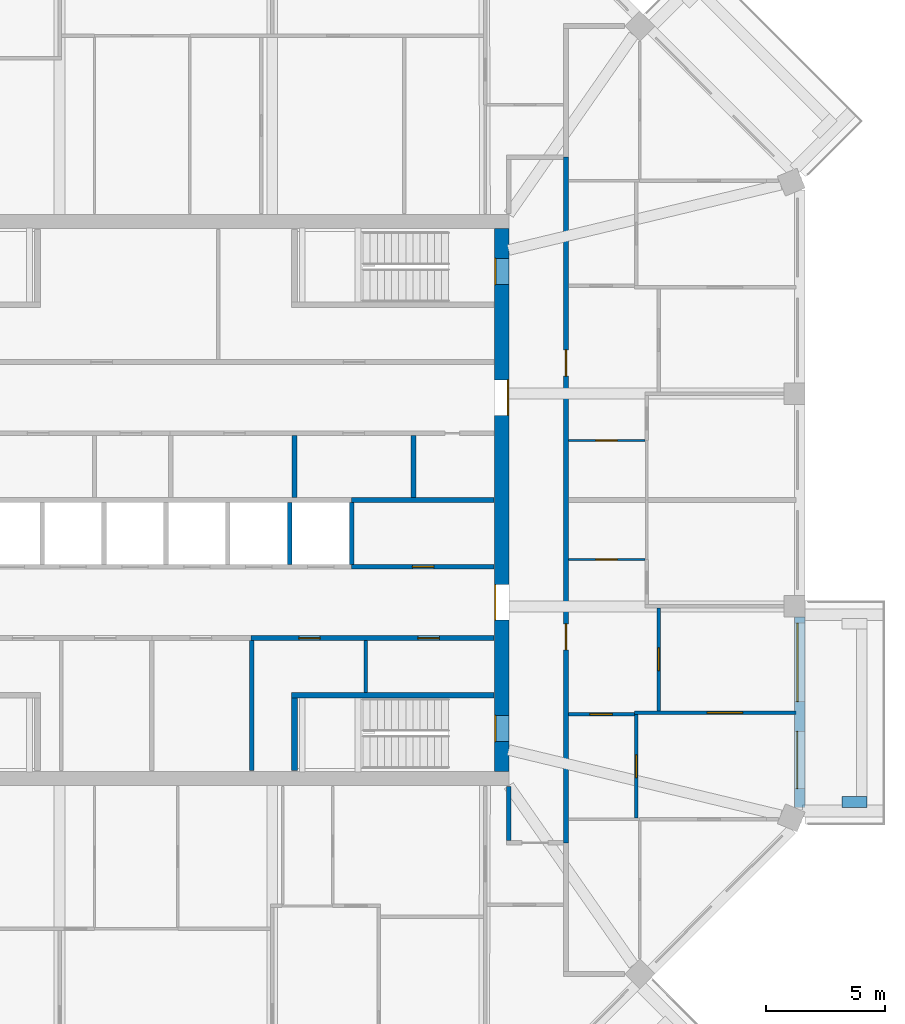
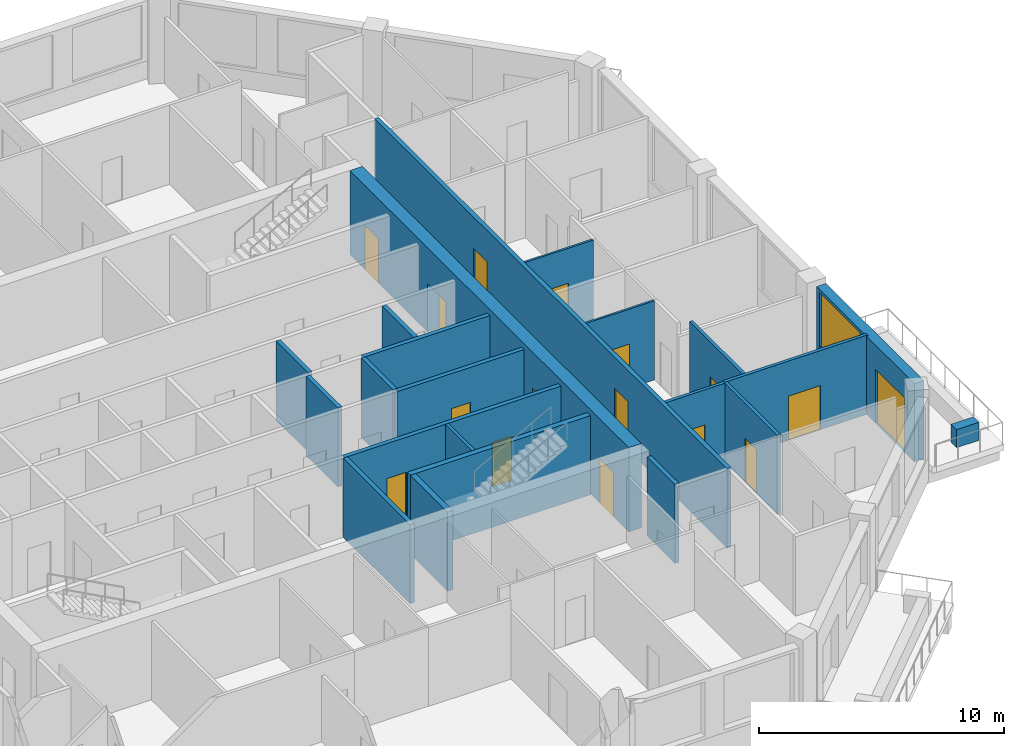
# One storey, part 6 of 11: 22 walls, 16 doors, 1 window, 17 openings.
"""IFC4 building model written with IfcOpenShell, lengths in metres."""

import ifcopenshell
import ifcopenshell.guid

model = None  # the IFC model being written
_history = None  # IfcOwnerHistory: only IFC2X3 demands one
_inside = {}  # id of a spatial element -> (the spatial element, [elements in it])
_under = {}  # id of a project, library or spatial element -> (it, [spatial elements below it])
_declared = {}  # id of a project -> (the project, [libraries it declares])
_typed = {}  # id of a type object -> (the type object, [elements of that type])
_made_of = {}  # id of a material, layer set ... -> (it, [elements and type objects made of it])


def new_model(schema):
    """Start an empty IFC model of exactly this schema.

    Asked for "IFC4X3", IfcOpenShell would pick the latest addendum, in which some entities
    have other attributes; the version numbers below select the first issue.
    IFC2X3 requires an IfcOwnerHistory on every rooted entity: one is made here for all.
    """
    global model, _history
    if schema == "IFC4X3":
        model = ifcopenshell.file(schema_version=(4, 3, 0, 0))
    else:
        model = ifcopenshell.file(schema=schema)
    _inside.clear()
    _under.clear()
    _declared.clear()
    _typed.clear()
    _made_of.clear()
    _history = None
    if model.schema == "IFC2X3":
        org = make("IfcOrganization", Name="unknown")
        user = make(
            "IfcPersonAndOrganization",
            ThePerson=make("IfcPerson", FamilyName="unknown"),
            TheOrganization=org,
        )
        app = make(
            "IfcApplication",
            ApplicationDeveloper=org,
            Version="unknown",
            ApplicationFullName="unknown",
            ApplicationIdentifier="unknown",
        )
        _history = make(
            "IfcOwnerHistory",
            OwningUser=user,
            OwningApplication=app,
            ChangeAction="ADDED",
            CreationDate=0,
        )
    return model


def make(cls, **values):
    """One entity of the class cls with the attributes given. An attribute that is None is left unset."""
    return model.create_entity(
        cls, **{name: value for name, value in values.items() if value is not None}
    )


def rooted(cls, **values):
    """An entity with a GlobalId (a new one), such as an element, a storey or a relation."""
    return make(cls, GlobalId=ifcopenshell.guid.new(), OwnerHistory=_history, **values)


def si_unit(unit_type, name, prefix=None):
    """IfcSIUnit, for example si_unit("LENGTHUNIT", "METRE", prefix="MILLI")."""
    return make("IfcSIUnit", UnitType=unit_type, Prefix=prefix, Name=name)


def assignment(units):
    """IfcUnitAssignment: the units of a project."""
    return None if units is None else make("IfcUnitAssignment", Units=units)


def point(xyz):
    """IfcCartesianPoint."""
    return None if xyz is None else make("IfcCartesianPoint", Coordinates=xyz)


def direction(xyz):
    """IfcDirection."""
    return None if xyz is None else make("IfcDirection", DirectionRatios=xyz)


def frame(location, z_axis=None, x_axis=None):
    """IfcAxis2Placement3D, a coordinate frame: its origin and axes. An axis left out is left unset."""
    return make(
        "IfcAxis2Placement3D",
        Location=point(location),
        Axis=direction(z_axis),
        RefDirection=direction(x_axis),
    )


def frame_2d(location, x_axis=None):
    """IfcAxis2Placement2D, a coordinate frame in the plane: its origin and x axis."""
    return make(
        "IfcAxis2Placement2D", Location=point(location), RefDirection=direction(x_axis)
    )


def origin():
    """The frame at (0, 0, 0) with its axes left unset."""
    return frame((0.0, 0.0, 0.0))


def place(relative_to, where):
    """IfcLocalPlacement: puts the frame where relative to a parent placement (None: the world)."""
    return make(
        "IfcLocalPlacement", PlacementRelTo=relative_to, RelativePlacement=where
    )


def context(
    kind, dimensions, precision=None, world=None, true_north=None, identifier=None
):
    """IfcGeometricRepresentationContext, for example the 3D "Model" context."""
    return make(
        "IfcGeometricRepresentationContext",
        ContextIdentifier=identifier,
        ContextType=kind,
        CoordinateSpaceDimension=dimensions,
        Precision=precision,
        WorldCoordinateSystem=world,
        TrueNorth=true_north,
    )


def subcontext(parent, identifier, kind, view, scale=None):
    """IfcGeometricRepresentationSubContext, for example "Body" below "Model"."""
    return make(
        "IfcGeometricRepresentationSubContext",
        ContextIdentifier=identifier,
        ContextType=kind,
        ParentContext=parent,
        TargetScale=scale,
        TargetView=view,
    )


def project(units=None, contexts=None):
    """IfcProject with its units and contexts."""
    return rooted(
        "IfcProject",
        Name="project",
        RepresentationContexts=contexts,
        UnitsInContext=assignment(units),
    )


def spatial(cls, under=None, at=None, **own):
    """A site, building, storey or space (cls), placed at a placement, below another one or the project."""
    s = rooted(cls, ObjectPlacement=at, **own)
    if under is not None:
        _under.setdefault(under.id(), (under, []))[1].append(s)
    return s


def profile(cls, at=None, kind="AREA", **sizes):
    """A parametric profile (cls). Its sizes go by their IFC names, for example OverallWidth=200.0."""
    return make(cls, ProfileType=kind, Position=at, **sizes)


def rectangle(**sizes):
    """IfcRectangleProfileDef."""
    return profile("IfcRectangleProfileDef", **sizes)


def extrude(swept, where, along, depth):
    """IfcExtrudedAreaSolid: the profile swept, set in the frame where, extruded along a direction by depth."""
    return make(
        "IfcExtrudedAreaSolid",
        SweptArea=swept,
        Position=where,
        ExtrudedDirection=direction(along),
        Depth=depth,
    )


def shape(context_of_items, identifier, shape_type, items):
    """IfcShapeRepresentation: the items that make up one representation, for example the "Body"."""
    return make(
        "IfcShapeRepresentation",
        ContextOfItems=context_of_items,
        RepresentationIdentifier=identifier,
        RepresentationType=shape_type,
        Items=items,
    )


def material(Name=None, Category=None):
    """IfcMaterial."""
    return make("IfcMaterial", Name=Name, Category=Category)


def layer(
    of_material, thickness, ventilated=None, Name=None, Category=None, Priority=None
):
    """IfcMaterialLayer: one layer of a wall or slab, of a material (None: an air gap)."""
    return make(
        "IfcMaterialLayer",
        Material=of_material,
        LayerThickness=thickness,
        IsVentilated=ventilated,
        Name=Name,
        Category=Category,
        Priority=Priority,
    )


def layer_set(layers, Name=None):
    """IfcMaterialLayerSet."""
    return make("IfcMaterialLayerSet", MaterialLayers=layers, LayerSetName=Name)


def made_of(thing, what):
    """Note that an element or type object is made of a material, layer set ...; save() writes the relation."""
    if what is not None:
        _made_of.setdefault(what.id(), (what, []))[1].append(thing)
    return thing


def type_object(cls, material=None, **own):
    """A type object (cls), such as IfcWallType, which elements share."""
    return made_of(rooted(cls, **own), material)


def element(
    cls,
    number,
    at=None,
    inside=None,
    cuts=None,
    type_object=None,
    material=None,
    context=None,
    identifier="Body",
    shape_type=None,
    held_by="IfcProductDefinitionShape",
    body=None,
    shapes=None,
    **own,
):
    """One element of the class cls, such as IfcWall. Its Tag is "e" and its number.

    at: its placement. inside: the storey or other place that contains it. cuts: it is an
    opening in that element (IfcRelVoidsElement). A single representation is given by context,
    identifier, shape_type and body (its items); several are given by shapes. held_by: the class
    of the entity that holds the representations. save() writes the other relations.
    """
    e = rooted(cls, Tag="e%d" % number, ObjectPlacement=at, **own)
    if body is not None:
        shapes = [shape(context, identifier, shape_type, body)]
    if shapes is not None:
        e.Representation = make(held_by, Representations=shapes)
    if inside is not None:
        _inside.setdefault(inside.id(), (inside, []))[1].append(e)
    if cuts is not None:
        rooted(
            "IfcRelVoidsElement", RelatingBuildingElement=cuts, RelatedOpeningElement=e
        )
    if type_object is not None:
        _typed.setdefault(type_object.id(), (type_object, []))[1].append(e)
    return made_of(e, material)


def fill(opening, filler):
    """IfcRelFillsElement: the door or window that sits in an opening."""
    return rooted(
        "IfcRelFillsElement",
        RelatingOpeningElement=opening,
        RelatedBuildingElement=filler,
    )


def aggregate(whole, parts):
    """IfcRelAggregates: a whole, such as a stair, and the parts it consists of."""
    return rooted("IfcRelAggregates", RelatingObject=whole, RelatedObjects=parts)


def save(model, path):
    """Write the relations noted so far, then the file.

    IfcRelAggregates (storeys below a building ...), IfcRelContainedInSpatialStructure (elements
    in a storey), IfcRelDefinesByType, IfcRelAssociatesMaterial and IfcRelDeclares: one each for
    every whole, place, type object, material and project.
    """
    for whole, parts in _under.values():
        aggregate(whole, parts)
    for where, things in _inside.values():
        rooted(
            "IfcRelContainedInSpatialStructure",
            RelatedElements=things,
            RelatingStructure=where,
        )
    for kind, things in _typed.values():
        rooted("IfcRelDefinesByType", RelatedObjects=things, RelatingType=kind)
    for what, things in _made_of.values():
        rooted("IfcRelAssociatesMaterial", RelatedObjects=things, RelatingMaterial=what)
    for by, libraries in _declared.values():
        rooted("IfcRelDeclares", RelatingContext=by, RelatedDefinitions=libraries)
    model.write(path)


model = new_model("IFC4")

# Units and contexts
model_context = context("Model", 3, precision=1e-05, world=origin(), true_north=direction((0.0, 1.0)))
body_context = subcontext(model_context, "Body", "Model", "MODEL_VIEW")
ifc_project = project(units=[si_unit("LENGTHUNIT", "METRE"), si_unit("AREAUNIT", "SQUARE_METRE"), si_unit("VOLUMEUNIT", "CUBIC_METRE"), si_unit("PLANEANGLEUNIT", "RADIAN"), si_unit("MASSUNIT", "GRAM", prefix="KILO")], contexts=[model_context])

# Site, building, storey
site_placement = place(None, origin())
site = spatial("IfcSite", under=ifc_project, at=site_placement, CompositionType="ELEMENT")
building_placement = place(site_placement, origin())
building = spatial("IfcBuilding", under=site, at=building_placement, Name="Msitu Wima Residences", CompositionType="ELEMENT")
storey_placement = place(building_placement, frame((0.0, 0.0, 268.5)))
storey = spatial("IfcBuildingStorey", under=building, at=storey_placement, Name="L62", CompositionType="ELEMENT", Elevation=268.5)

# Wall
ifc_material_1 = material(Name="Facing brick")
ifc_layer_1 = layer(ifc_material_1, 0.06494140625, Name="Facing brick")
ifc_material_2 = material(Name="Concrete C40/50", Category="concrete")
ifc_layer_2 = layer(ifc_material_2, 0.156005859375, Name="Concrete C40/50")
ifc_material_3 = material(Name="Waterproofing membrane")
ifc_layer_3 = layer(ifc_material_3, 0.00390625, Name="Waterproofing membrane")
ifc_material_4 = material(Name="Planting soil and planting")
ifc_layer_4 = layer(ifc_material_4, 0.22509765625, Name="Planting soil and planting")
ifc_layer_set_1 = layer_set([ifc_layer_1, ifc_layer_2, ifc_layer_3, ifc_layer_4], Name="Concrete C40/50")
wall_type_1 = type_object("IfcWallType", Name="Balcony planter PLANTER PL450", PredefinedType="USERDEFINED", material=ifc_layer_set_1)
wall_1_placement = place(storey_placement, frame((28.39990234375, -12.680908203125, 0.0), z_axis=(0.0, 0.0, 1.0), x_axis=(1.0, 0.0, 0.0)))
element("IfcWall", 1, at=wall_1_placement, inside=storey, type_object=wall_type_1, Name="Balcony planter E0 L62", ObjectType="PLANTER", PredefinedType="USERDEFINED", context=body_context, shape_type="SweptSolid", body=[
    extrude(rectangle(XDim=1.050048828125, YDim=0.449951171875, at=frame_2d((0.52490234375, 0.0))), origin(), (0.0, 0.0, 1.0), 0.89990234375),
])

# Wall, openings, door, window
ifc_material_5 = material(Name="Brick (red buff mix)", Category="masonry")
ifc_layer_5 = layer(ifc_material_5, 0.449951171875)
ifc_layer_set_2 = layer_set([ifc_layer_5], Name="Brick (red buff mix)")
wall_type_2 = type_object("IfcWallType", Name="Brick infill wall BW450", PredefinedType="SOLIDWALL", material=ifc_layer_set_2)
wall_2_placement = place(storey_placement, frame((26.625, -12.918701171875, 0.0), z_axis=(0.0, 0.0, 1.0), x_axis=(0.0, 1.0, 0.0)))
wall_2 = element("IfcWall", 2, at=wall_2_placement, inside=storey, type_object=wall_type_2, Name="Brick infill wall L62 E0", PredefinedType="SOLIDWALL", context=body_context, shape_type="SweptSolid", body=[
    extrude(rectangle(XDim=8.0, YDim=0.449951171875, at=frame_2d((4.0, 0.0))), origin(), (0.0, 0.0, 1.0), 3.89990234375),
])
opening_1_placement = place(wall_2_placement, frame((0.800048828125, 0.0, 0.0)))
opening_1 = element("IfcOpeningElement", 3, at=opening_1_placement, cuts=wall_2, Name="Opening D60-62.001", PredefinedType="OPENING", context=body_context, shape_type="SweptSolid", body=[
    extrude(rectangle(XDim=2.39990234375, YDim=2.699951171875, at=frame_2d((1.199951171875, 1.35009765625))), frame((0.0, 0.23486328125, 0.0), z_axis=(0.0, -1.0, 0.0), x_axis=(1.0, 0.0, 0.0)), (0.0, 0.0, 1.0), 0.469970703125),
])
opening_2_placement = place(wall_2_placement, frame((4.4501953125, 0.0, 1.050048828125)))
opening_2 = element("IfcOpeningElement", 4, at=opening_2_placement, cuts=wall_2, Name="Opening W60-62.001", PredefinedType="OPENING", context=body_context, shape_type="SweptSolid", body=[
    extrude(rectangle(XDim=3.300048828125, YDim=2.699951171875, at=frame_2d((1.64990234375, 1.35009765625))), frame((0.0, 0.23486328125, 0.0), z_axis=(0.0, -1.0, 0.0), x_axis=(1.0, 0.0, 0.0)), (0.0, 0.0, 1.0), 0.469970703125),
])
ifc_material_6 = material(Name="Anodised aluminium, bronze finish, clear low-emissivity double glazing", Category="aluminium")
door_type_1 = type_object("IfcDoorType", Name="Balcony door D2400x2700", OperationType="SLIDING_TO_LEFT", PredefinedType="DOOR", material=ifc_material_6)
door_1_placement = place(opening_1_placement, origin())
door_1 = element("IfcDoor", 5, at=door_1_placement, inside=storey, type_object=door_type_1, Name="Balcony door L62 E0", OperationType="SINGLE_SWING_LEFT", OverallHeight=2.699951171875, OverallWidth=2.39990234375, PredefinedType="DOOR", context=body_context, shape_type="SweptSolid", body=[
    extrude(rectangle(XDim=2.39990234375, YDim=2.699951171875, at=frame_2d((1.199951171875, 1.35009765625))), frame((0.0, 0.1298828125, 0.0), z_axis=(0.0, -1.0, 0.0), x_axis=(1.0, 0.0, 0.0)), (0.0, 0.0, 1.0), 0.050048828125),
])
fill(opening_1, door_1)
window_type = type_object("IfcWindowType", Name="Window W3300x2700", PartitioningType="DOUBLE_PANEL_VERTICAL", PredefinedType="WINDOW", material=ifc_material_6)
window_placement = place(opening_2_placement, origin())
window = element("IfcWindow", 6, at=window_placement, inside=storey, type_object=window_type, Name="Window L62 E0.2", OverallHeight=2.699951171875, OverallWidth=3.300048828125, PartitioningType="SINGLE_PANEL", PredefinedType="WINDOW", context=body_context, shape_type="SweptSolid", body=[
    extrude(rectangle(XDim=3.300048828125, YDim=2.699951171875, at=frame_2d((1.64990234375, 1.35009765625))), frame((0.0, 0.135009765625, 0.0), z_axis=(0.0, -1.0, 0.0), x_axis=(1.0, 0.0, 0.0)), (0.0, 0.0, 1.0), 0.06005859375),
])
fill(opening_2, window)

# Wall, openings, doors
ifc_material_7 = material(Name="Concrete C50/60", Category="concrete")
ifc_layer_6 = layer(ifc_material_7, 0.60009765625)
ifc_layer_set_3 = layer_set([ifc_layer_6], Name="Concrete C50/60")
wall_type_3 = type_object("IfcWallType", Name="Core wall CW600 C50/60", PredefinedType="SHEAR", material=ifc_layer_set_3)
wall_3_placement = place(storey_placement, frame((14.10009765625, -11.39990234375, 0.0), z_axis=(0.0, 0.0, 1.0), x_axis=(0.0, 1.0, 0.0)))
wall_3 = element("IfcWall", 7, at=wall_3_placement, inside=storey, type_object=wall_type_3, Name="Core wall", PredefinedType="SHEAR", context=body_context, shape_type="SweptSolid", body=[
    extrude(rectangle(XDim=22.7998046875, YDim=0.60009765625, at=frame_2d((11.39990234375, 0.0))), origin(), (0.0, 0.0, 1.0), 4.199951171875),
])
opening_3_placement = place(wall_3_placement, frame((20.449951171875, 0.0, 0.0)))
opening_3 = element("IfcOpeningElement", 8, at=opening_3_placement, cuts=wall_3, Name="Opening D60-62.089", PredefinedType="OPENING", context=body_context, shape_type="SweptSolid", body=[
    extrude(rectangle(XDim=1.10009765625, YDim=2.199951171875, at=frame_2d((0.550048828125, 1.10009765625))), frame((0.0, 0.31005859375, 0.0), z_axis=(0.0, -1.0, 0.0), x_axis=(1.0, 0.0, 0.0)), (0.0, 0.0, 1.0), 0.6201171875),
])
opening_4_placement = place(wall_3_placement, frame((1.25, 0.0, 0.0)))
opening_4 = element("IfcOpeningElement", 9, at=opening_4_placement, cuts=wall_3, Name="Opening D60-62.090", PredefinedType="OPENING", context=body_context, shape_type="SweptSolid", body=[
    extrude(rectangle(XDim=1.10009765625, YDim=2.199951171875, at=frame_2d((0.550048828125, 1.10009765625))), frame((0.0, 0.31005859375, 0.0), z_axis=(0.0, -1.0, 0.0), x_axis=(1.0, 0.0, 0.0)), (0.0, 0.0, 1.0), 0.6201171875),
])
opening_5_placement = place(wall_3_placement, frame((14.949951171875, 0.0, 0.0)))
opening_5 = element("IfcOpeningElement", 10, at=opening_5_placement, cuts=wall_3, Name="Opening D60-62.077", PredefinedType="OPENING", context=body_context, shape_type="SweptSolid", body=[
    extrude(rectangle(XDim=1.5, YDim=2.39990234375, at=frame_2d((0.75, 1.199951171875))), frame((0.0, 0.31005859375, 0.0), z_axis=(0.0, -1.0, 0.0), x_axis=(1.0, 0.0, 0.0)), (0.0, 0.0, 1.0), 0.6201171875),
])
opening_6_placement = place(wall_3_placement, frame((6.35009765625, 0.0, 0.0)))
opening_6 = element("IfcOpeningElement", 11, at=opening_6_placement, cuts=wall_3, Name="Opening D60-62.078", PredefinedType="OPENING", context=body_context, shape_type="SweptSolid", body=[
    extrude(rectangle(XDim=1.5, YDim=2.39990234375, at=frame_2d((0.75, 1.199951171875))), frame((0.0, 0.31005859375, 0.0), z_axis=(0.0, -1.0, 0.0), x_axis=(1.0, 0.0, 0.0)), (0.0, 0.0, 1.0), 0.6201171875),
])
ifc_material_8 = material(Name="Steel framed glazed door, fire resisting", Category="steel")
door_type_2 = type_object("IfcDoorType", Name="Lobby door D07 1500x2400", OperationType="DOUBLE_DOOR_SINGLE_SWING", PredefinedType="DOOR", material=ifc_material_8)
door_2_placement = place(opening_5_placement, origin())
door_2 = element("IfcDoor", 12, at=door_2_placement, inside=storey, type_object=door_type_2, Name="Lobby door", OperationType="DOUBLE_DOOR_SINGLE_SWING", OverallHeight=2.39990234375, OverallWidth=1.5, PredefinedType="DOOR", context=body_context, shape_type="SweptSolid", body=[
    extrude(rectangle(XDim=1.5, YDim=2.39990234375, at=frame_2d((0.75, 1.199951171875))), frame((0.0, -0.2451171875, 0.0), z_axis=(0.0, -1.0, 0.0), x_axis=(1.0, 0.0, 0.0)), (0.0, 0.0, 1.0), 0.050048828125),
])
fill(opening_5, door_2)
door_3_placement = place(opening_6_placement, origin())
door_3 = element("IfcDoor", 13, at=door_3_placement, inside=storey, type_object=door_type_2, Name="Lobby door", OperationType="DOUBLE_DOOR_SINGLE_SWING", OverallHeight=2.39990234375, OverallWidth=1.5, PredefinedType="DOOR", context=body_context, shape_type="SweptSolid", body=[
    extrude(rectangle(XDim=1.5, YDim=2.39990234375, at=frame_2d((0.75, 1.199951171875))), frame((0.0, 0.294921875, 0.0), z_axis=(0.0, -1.0, 0.0), x_axis=(1.0, 0.0, 0.0)), (0.0, 0.0, 1.0), 0.050048828125),
])
fill(opening_6, door_3)
ifc_material_9 = material(Name="Steel door, fire resisting, panic bar", Category="steel")
door_type_3 = type_object("IfcDoorType", Name="Stair door D06 1100x2200", OperationType="SINGLE_SWING_LEFT", PredefinedType="DOOR", material=ifc_material_9)
door_4_placement = place(opening_3_placement, origin())
door_4 = element("IfcDoor", 14, at=door_4_placement, inside=storey, type_object=door_type_3, Name="Stair door", OperationType="SINGLE_SWING_LEFT", OverallHeight=2.199951171875, OverallWidth=1.10009765625, PredefinedType="DOOR", context=body_context, shape_type="SweptSolid", body=[
    extrude(rectangle(XDim=1.10009765625, YDim=2.199951171875, at=frame_2d((0.550048828125, 1.10009765625))), frame((0.0, 0.294921875, 0.0), z_axis=(0.0, -1.0, 0.0), x_axis=(1.0, 0.0, 0.0)), (0.0, 0.0, 1.0), 0.050048828125),
])
fill(opening_3, door_4)
door_5_placement = place(opening_4_placement, origin())
door_5 = element("IfcDoor", 15, at=door_5_placement, inside=storey, type_object=door_type_3, Name="Stair door", OperationType="SINGLE_SWING_RIGHT", OverallHeight=2.199951171875, OverallWidth=1.10009765625, PredefinedType="DOOR", context=body_context, shape_type="SweptSolid", body=[
    extrude(rectangle(XDim=1.10009765625, YDim=2.199951171875, at=frame_2d((0.550048828125, 1.10009765625))), frame((0.0, 0.294921875, 0.0), z_axis=(0.0, -1.0, 0.0), x_axis=(1.0, 0.0, 0.0)), (0.0, 0.0, 1.0), 0.050048828125),
])
fill(opening_4, door_5)

ifc_material_10 = material(Name="Plaster")
ifc_layer_7 = layer(ifc_material_10, 0.011962890625, Name="Plaster")
ifc_material_11 = material(Name="Concrete blockwork", Category="masonry")
ifc_layer_8 = layer(ifc_material_11, 0.176025390625, Name="Concrete blockwork")
ifc_layer_9 = layer(ifc_material_10, 0.011962890625, Name="Plaster")
ifc_layer_set_4 = layer_set([ifc_layer_7, ifc_layer_8, ifc_layer_9], Name="Concrete blockwork")
wall_type_4 = type_object("IfcWallType", Name="Corridor wall FW200", PredefinedType="PARTITIONING", material=ifc_layer_set_4)
wall_4_placement = place(storey_placement, frame((3.580078125, -5.800048828125, 0.0), z_axis=(0.0, 0.0, 1.0), x_axis=(1.0, 0.0, 0.0)))
wall_4 = element("IfcWall", 16, at=wall_4_placement, inside=storey, type_object=wall_type_4, Name="Corridor wall", PredefinedType="PARTITIONING", context=body_context, shape_type="SweptSolid", body=[
    extrude(rectangle(XDim=10.18994140625, YDim=0.199951171875, at=frame_2d((5.094970703125, 0.0))), origin(), (0.0, 0.0, 1.0), 3.949951171875),
])
opening_7_placement = place(wall_4_placement, frame((2.0, 0.0, 0.0)))
opening_7 = element("IfcOpeningElement", 17, at=opening_7_placement, cuts=wall_4, Name="Opening D60-62.075", PredefinedType="OPENING", context=body_context, shape_type="SweptSolid", body=[
    extrude(rectangle(XDim=0.89990234375, YDim=2.199951171875, at=frame_2d((0.449951171875, 1.10009765625))), frame((0.0, 0.10986328125, 0.0), z_axis=(0.0, -1.0, 0.0), x_axis=(1.0, 0.0, 0.0)), (0.0, 0.0, 1.0), 0.219970703125),
])
opening_8_placement = place(wall_4_placement, frame((7.0, 0.0, 0.0)))
opening_8 = element("IfcOpeningElement", 18, at=opening_8_placement, cuts=wall_4, Name="Opening D60-62.076", PredefinedType="OPENING", context=body_context, shape_type="SweptSolid", body=[
    extrude(rectangle(XDim=0.89990234375, YDim=2.199951171875, at=frame_2d((0.449951171875, 1.10009765625))), frame((0.0, 0.10986328125, 0.0), z_axis=(0.0, -1.0, 0.0), x_axis=(1.0, 0.0, 0.0)), (0.0, 0.0, 1.0), 0.219970703125),
])
ifc_material_12 = material(Name="Timber flush door", Category="wood")
door_type_4 = type_object("IfcDoorType", Name="Service door D05 900x2200", OperationType="SINGLE_SWING_LEFT", PredefinedType="DOOR", material=ifc_material_12)
door_6_placement = place(opening_7_placement, origin())
door_6 = element("IfcDoor", 19, at=door_6_placement, inside=storey, type_object=door_type_4, Name="Service door", OperationType="SINGLE_SWING_LEFT", OverallHeight=2.199951171875, OverallWidth=0.89990234375, PredefinedType="DOOR", context=body_context, shape_type="SweptSolid", body=[
    extrude(rectangle(XDim=0.89990234375, YDim=2.199951171875, at=frame_2d((0.449951171875, 1.10009765625))), frame((0.0, 0.02490234375, 0.0), z_axis=(0.0, -1.0, 0.0), x_axis=(1.0, 0.0, 0.0)), (0.0, 0.0, 1.0), 0.050048828125),
])
fill(opening_7, door_6)
door_7_placement = place(opening_8_placement, origin())
door_7 = element("IfcDoor", 20, at=door_7_placement, inside=storey, type_object=door_type_4, Name="Service door", OperationType="SINGLE_SWING_RIGHT", OverallHeight=2.199951171875, OverallWidth=0.89990234375, PredefinedType="DOOR", context=body_context, shape_type="SweptSolid", body=[
    extrude(rectangle(XDim=0.89990234375, YDim=2.199951171875, at=frame_2d((0.449951171875, 1.10009765625))), frame((0.0, 0.02490234375, 0.0), z_axis=(0.0, -1.0, 0.0), x_axis=(1.0, 0.0, 0.0)), (0.0, 0.0, 1.0), 0.050048828125),
])
fill(opening_8, door_7)

# Wall
wall_5_placement = place(storey_placement, frame((14.39990234375, -14.300048828125, 0.0), z_axis=(0.0, 0.0, 1.0), x_axis=(0.0, 1.0, 0.0)))
element("IfcWall", 21, at=wall_5_placement, inside=storey, type_object=wall_type_4, Name="Corridor wall", PredefinedType="PARTITIONING", context=body_context, shape_type="SweptSolid", body=[
    extrude(rectangle(XDim=2.27001953125, YDim=0.199951171875, at=frame_2d((1.135009765625, 0.0))), origin(), (0.0, 0.0, 1.0), 3.949951171875),
])

# Wall, openings, doors
wall_6_placement = place(storey_placement, frame((16.800048828125, -14.39990234375, 0.0), z_axis=(0.0, 0.0, 1.0), x_axis=(0.0, 1.0, 0.0)))
wall_6 = element("IfcWall", 22, at=wall_6_placement, inside=storey, type_object=wall_type_4, Name="Corridor wall", PredefinedType="PARTITIONING", context=body_context, shape_type="SweptSolid", body=[
    extrude(rectangle(XDim=28.7998046875, YDim=0.199951171875, at=frame_2d((14.39990234375, 0.0))), origin(), (0.0, 0.0, 1.0), 3.949951171875),
])
opening_9_placement = place(wall_6_placement, frame((8.10009765625, 0.0, 0.0)))
opening_9 = element("IfcOpeningElement", 23, at=opening_9_placement, cuts=wall_6, Name="Opening D60-62.008", PredefinedType="OPENING", context=body_context, shape_type="SweptSolid", body=[
    extrude(rectangle(XDim=1.10009765625, YDim=2.39990234375, at=frame_2d((0.550048828125, 1.199951171875))), frame((0.0, 0.10986328125, 0.0), z_axis=(0.0, -1.0, 0.0), x_axis=(1.0, 0.0, 0.0)), (0.0, 0.0, 1.0), 0.219970703125),
])
opening_10_placement = place(wall_6_placement, frame((19.60009765625, 0.0, 0.0)))
opening_10 = element("IfcOpeningElement", 24, at=opening_10_placement, cuts=wall_6, Name="Opening D60-62.017", PredefinedType="OPENING", context=body_context, shape_type="SweptSolid", body=[
    extrude(rectangle(XDim=1.10009765625, YDim=2.39990234375, at=frame_2d((0.550048828125, 1.199951171875))), frame((0.0, 0.10986328125, 0.0), z_axis=(0.0, -1.0, 0.0), x_axis=(1.0, 0.0, 0.0)), (0.0, 0.0, 1.0), 0.219970703125),
])
ifc_material_13 = material(Name="Timber flush door, fire resisting, self-closing", Category="wood")
door_type_5 = type_object("IfcDoorType", Name="Flat entrance door D01 1100x2400", OperationType="SINGLE_SWING_LEFT", PredefinedType="DOOR", material=ifc_material_13)
door_8_placement = place(opening_9_placement, origin())
door_8 = element("IfcDoor", 25, at=door_8_placement, inside=storey, type_object=door_type_5, Name="Flat entrance door", OperationType="SINGLE_SWING_RIGHT", OverallHeight=2.39990234375, OverallWidth=1.10009765625, PredefinedType="DOOR", context=body_context, shape_type="SweptSolid", body=[
    extrude(rectangle(XDim=1.10009765625, YDim=2.39990234375, at=frame_2d((0.550048828125, 1.199951171875))), frame((0.0, 0.02490234375, 0.0), z_axis=(0.0, -1.0, 0.0), x_axis=(1.0, 0.0, 0.0)), (0.0, 0.0, 1.0), 0.050048828125),
])
fill(opening_9, door_8)
door_9_placement = place(opening_10_placement, origin())
door_9 = element("IfcDoor", 26, at=door_9_placement, inside=storey, type_object=door_type_5, Name="Flat entrance door", OperationType="SINGLE_SWING_LEFT", OverallHeight=2.39990234375, OverallWidth=1.10009765625, PredefinedType="DOOR", context=body_context, shape_type="SweptSolid", body=[
    extrude(rectangle(XDim=1.10009765625, YDim=2.39990234375, at=frame_2d((0.550048828125, 1.199951171875))), frame((0.0, 0.02490234375, 0.0), z_axis=(0.0, -1.0, 0.0), x_axis=(1.0, 0.0, 0.0)), (0.0, 0.0, 1.0), 0.050048828125),
])
fill(opening_10, door_9)

# Wall
ifc_layer_10 = layer(ifc_material_10, 0.011962890625, Name="Plaster")
ifc_layer_11 = layer(ifc_material_11, 0.1259765625, Name="Concrete blockwork")
ifc_layer_12 = layer(ifc_material_10, 0.011962890625, Name="Plaster")
ifc_layer_set_5 = layer_set([ifc_layer_10, ifc_layer_11, ifc_layer_12], Name="Concrete blockwork")
wall_type_5 = type_object("IfcWallType", Name="Partition PW150", PredefinedType="PARTITIONING", material=ifc_layer_set_5)
wall_7_placement = place(storey_placement, frame((8.39990234375, -8.074951171875, 0.0), z_axis=(0.0, 0.0, 1.0), x_axis=(0.0, 1.0, 0.0)))
element("IfcWall", 27, at=wall_7_placement, inside=storey, type_object=wall_type_5, Name="Partition", PredefinedType="PARTITIONING", context=body_context, shape_type="SweptSolid", body=[
    extrude(rectangle(XDim=2.175048828125, YDim=0.14990234375, at=frame_2d((1.08740234375, 0.0))), origin(), (0.0, 0.0, 1.0), 3.949951171875),
])

# Wall, opening, door
wall_8_placement = place(storey_placement, frame((16.89990234375, -9.0, 0.0), z_axis=(0.0, 0.0, 1.0), x_axis=(1.0, 0.0, 0.0)))
wall_8 = element("IfcWall", 28, at=wall_8_placement, inside=storey, type_object=wall_type_5, Name="Partition", PredefinedType="PARTITIONING", context=body_context, shape_type="SweptSolid", body=[
    extrude(rectangle(XDim=2.775146484375, YDim=0.14990234375, at=frame_2d((1.3876953125, 0.0))), origin(), (0.0, 0.0, 1.0), 3.949951171875),
])
opening_11_placement = place(wall_8_placement, frame((0.89990234375, 0.0, 0.0)))
opening_11 = element("IfcOpeningElement", 29, at=opening_11_placement, cuts=wall_8, Name="Opening D60-62.010", PredefinedType="OPENING", context=body_context, shape_type="SweptSolid", body=[
    extrude(rectangle(XDim=0.949951171875, YDim=2.199951171875, at=frame_2d((0.47509765625, 1.10009765625))), frame((0.0, 0.0849609375, 0.0), z_axis=(0.0, -1.0, 0.0), x_axis=(1.0, 0.0, 0.0)), (0.0, 0.0, 1.0), 0.169921875),
])
door_type_6 = type_object("IfcDoorType", Name="Room door D12 950x2200", OperationType="SINGLE_SWING_LEFT", PredefinedType="DOOR", material=ifc_material_12)
door_10_placement = place(opening_11_placement, origin())
door_10 = element("IfcDoor", 30, at=door_10_placement, inside=storey, type_object=door_type_6, Name="Room door", OperationType="SINGLE_SWING_RIGHT", OverallHeight=2.199951171875, OverallWidth=0.949951171875, PredefinedType="DOOR", context=body_context, shape_type="SweptSolid", body=[
    extrude(rectangle(XDim=0.949951171875, YDim=2.199951171875, at=frame_2d((0.47509765625, 1.10009765625))), frame((0.0, 0.02490234375, 0.0), z_axis=(0.0, -1.0, 0.0), x_axis=(1.0, 0.0, 0.0)), (0.0, 0.0, 1.0), 0.050048828125),
])
fill(opening_11, door_10)

wall_9_placement = place(storey_placement, frame((19.75, -13.35595703125, 0.0), z_axis=(0.0, 0.0, 1.0), x_axis=(0.0, 1.0, 0.0)))
wall_9 = element("IfcWall", 31, at=wall_9_placement, inside=storey, type_object=wall_type_5, Name="Partition", PredefinedType="PARTITIONING", context=body_context, shape_type="SweptSolid", body=[
    extrude(rectangle(XDim=4.34375, YDim=0.14990234375, at=frame_2d((2.171875, 0.0))), origin(), (0.0, 0.0, 1.0), 3.949951171875),
])
opening_12_placement = place(wall_9_placement, frame((1.699951171875, 0.0, 0.0)))
opening_12 = element("IfcOpeningElement", 32, at=opening_12_placement, cuts=wall_9, Name="Opening D60-62.016", PredefinedType="OPENING", context=body_context, shape_type="SweptSolid", body=[
    extrude(rectangle(XDim=0.949951171875, YDim=2.199951171875, at=frame_2d((0.47509765625, 1.10009765625))), frame((0.0, 0.0849609375, 0.0), z_axis=(0.0, -1.0, 0.0), x_axis=(1.0, 0.0, 0.0)), (0.0, 0.0, 1.0), 0.169921875),
])
door_11_placement = place(opening_12_placement, origin())
door_11 = element("IfcDoor", 33, at=door_11_placement, inside=storey, type_object=door_type_6, Name="Room door", OperationType="SINGLE_SWING_RIGHT", OverallHeight=2.199951171875, OverallWidth=0.949951171875, PredefinedType="DOOR", context=body_context, shape_type="SweptSolid", body=[
    extrude(rectangle(XDim=0.949951171875, YDim=2.199951171875, at=frame_2d((0.47509765625, 1.10009765625))), frame((0.0, 0.02490234375, 0.0), z_axis=(0.0, -1.0, 0.0), x_axis=(1.0, 0.0, 0.0)), (0.0, 0.0, 1.0), 0.050048828125),
])
fill(opening_12, door_11)

wall_10_placement = place(storey_placement, frame((19.675048828125, -8.937255859375, 0.0), z_axis=(0.0, 0.0, 1.0), x_axis=(1.0, 0.0, 0.0)))
wall_10 = element("IfcWall", 34, at=wall_10_placement, inside=storey, type_object=wall_type_5, Name="Partition", PredefinedType="PARTITIONING", context=body_context, shape_type="SweptSolid", body=[
    extrude(rectangle(XDim=6.780029296875, YDim=0.14990234375, at=frame_2d((3.39013671875, 0.0))), origin(), (0.0, 0.0, 1.0), 3.949951171875),
])
opening_13_placement = place(wall_10_placement, frame((3.050048828125, 0.0, 0.0)))
opening_13 = element("IfcOpeningElement", 35, at=opening_13_placement, cuts=wall_10, Name="Opening D60-62.013", PredefinedType="OPENING", context=body_context, shape_type="SweptSolid", body=[
    extrude(rectangle(XDim=1.5, YDim=2.199951171875, at=frame_2d((0.75, 1.10009765625))), frame((0.0, 0.0849609375, 0.0), z_axis=(0.0, -1.0, 0.0), x_axis=(1.0, 0.0, 0.0)), (0.0, 0.0, 1.0), 0.169921875),
])
ifc_material_14 = material(Name="Timber double door", Category="wood")
door_type_7 = type_object("IfcDoorType", Name="Double door D04 1500x2200", OperationType="DOUBLE_DOOR_SINGLE_SWING", PredefinedType="DOOR", material=ifc_material_14)
door_12_placement = place(opening_13_placement, origin())
door_12 = element("IfcDoor", 36, at=door_12_placement, inside=storey, type_object=door_type_7, Name="Double door", OperationType="DOUBLE_DOOR_SINGLE_SWING", OverallHeight=2.199951171875, OverallWidth=1.5, PredefinedType="DOOR", context=body_context, shape_type="SweptSolid", body=[
    extrude(rectangle(XDim=1.5, YDim=2.199951171875, at=frame_2d((0.75, 1.10009765625))), frame((0.0, 0.02490234375, 0.0), z_axis=(0.0, -1.0, 0.0), x_axis=(1.0, 0.0, 0.0)), (0.0, 0.0, 1.0), 0.050048828125),
])
fill(opening_13, door_12)

wall_11_placement = place(storey_placement, frame((20.699951171875, -8.8623046875, 0.0), z_axis=(0.0, 0.0, 1.0), x_axis=(0.0, 1.0, 0.0)))
wall_11 = element("IfcWall", 37, at=wall_11_placement, inside=storey, type_object=wall_type_5, Name="Partition", PredefinedType="PARTITIONING", context=body_context, shape_type="SweptSolid", body=[
    extrude(rectangle(XDim=4.318603515625, YDim=0.14990234375, at=frame_2d((2.1591796875, 0.0))), origin(), (0.0, 0.0, 1.0), 3.949951171875),
])
opening_14_placement = place(wall_11_placement, frame((1.699951171875, 0.0, 0.0)))
opening_14 = element("IfcOpeningElement", 38, at=opening_14_placement, cuts=wall_11, Name="Opening D60-62.012", PredefinedType="OPENING", context=body_context, shape_type="SweptSolid", body=[
    extrude(rectangle(XDim=0.949951171875, YDim=2.199951171875, at=frame_2d((0.47509765625, 1.10009765625))), frame((0.0, 0.0849609375, 0.0), z_axis=(0.0, -1.0, 0.0), x_axis=(1.0, 0.0, 0.0)), (0.0, 0.0, 1.0), 0.169921875),
])
door_13_placement = place(opening_14_placement, origin())
door_13 = element("IfcDoor", 39, at=door_13_placement, inside=storey, type_object=door_type_6, Name="Room door", OperationType="SINGLE_SWING_LEFT", OverallHeight=2.199951171875, OverallWidth=0.949951171875, PredefinedType="DOOR", context=body_context, shape_type="SweptSolid", body=[
    extrude(rectangle(XDim=0.949951171875, YDim=2.199951171875, at=frame_2d((0.47509765625, 1.10009765625))), frame((0.0, 0.02490234375, 0.0), z_axis=(0.0, -1.0, 0.0), x_axis=(1.0, 0.0, 0.0)), (0.0, 0.0, 1.0), 0.050048828125),
])
fill(opening_14, door_13)

# Walls
ifc_layer_13 = layer(ifc_material_10, 0.011962890625, Name="Plaster")
ifc_material_15 = material(Name="Reinforced concrete blockwork", Category="masonry")
ifc_layer_14 = layer(ifc_material_15, 0.176025390625, Name="Reinforced concrete blockwork")
ifc_layer_15 = layer(ifc_material_10, 0.011962890625, Name="Plaster")
ifc_layer_set_6 = layer_set([ifc_layer_13, ifc_layer_14, ifc_layer_15], Name="Reinforced concrete blockwork")
wall_type_6 = type_object("IfcWallType", Name="Plant and riser wall PL200", PredefinedType="PARTITIONING", material=ifc_layer_set_6)
wall_12_placement = place(storey_placement, frame((3.60009765625, -11.3701171875, 0.0), z_axis=(0.0, 0.0, 1.0), x_axis=(0.0, 1.0, 0.0)))
element("IfcWall", 40, at=wall_12_placement, inside=storey, type_object=wall_type_6, Name="Plant and riser wall", PredefinedType="PARTITIONING", context=body_context, shape_type="SweptSolid", body=[
    extrude(rectangle(XDim=5.47021484375, YDim=0.199951171875, at=frame_2d((2.735107421875, 0.0))), origin(), (0.0, 0.0, 1.0), 3.949951171875),
])
wall_13_placement = place(storey_placement, frame((5.39990234375, 0.10009765625, 0.0), z_axis=(0.0, 0.0, 1.0), x_axis=(0.0, 1.0, 0.0)))
element("IfcWall", 41, at=wall_13_placement, inside=storey, type_object=wall_type_6, Name="Plant and riser wall", PredefinedType="PARTITIONING", context=body_context, shape_type="SweptSolid", body=[
    extrude(rectangle(XDim=2.599853515625, YDim=0.199951171875, at=frame_2d((1.2998046875, 0.0))), origin(), (0.0, 0.0, 1.0), 3.949951171875),
])

# Wall, opening, door
wall_14_placement = place(storey_placement, frame((7.800048828125, -2.800048828125, 0.0), z_axis=(0.0, 0.0, 1.0), x_axis=(1.0, 0.0, 0.0)))
wall_14 = element("IfcWall", 42, at=wall_14_placement, inside=storey, type_object=wall_type_6, Name="Plant and riser wall", PredefinedType="PARTITIONING", context=body_context, shape_type="SweptSolid", body=[
    extrude(rectangle(XDim=5.969970703125, YDim=0.199951171875, at=frame_2d((2.98486328125, 0.0))), origin(), (0.0, 0.0, 1.0), 3.949951171875),
])
opening_15_placement = place(wall_14_placement, frame((2.550048828125, 0.0, 0.0)))
opening_15 = element("IfcOpeningElement", 43, at=opening_15_placement, cuts=wall_14, Name="Opening D60-62.065", PredefinedType="OPENING", context=body_context, shape_type="SweptSolid", body=[
    extrude(rectangle(XDim=0.89990234375, YDim=2.199951171875, at=frame_2d((0.449951171875, 1.10009765625))), frame((0.0, 0.10986328125, 0.0), z_axis=(0.0, -1.0, 0.0), x_axis=(1.0, 0.0, 0.0)), (0.0, 0.0, 1.0), 0.219970703125),
])
door_14_placement = place(opening_15_placement, origin())
door_14 = element("IfcDoor", 44, at=door_14_placement, inside=storey, type_object=door_type_4, Name="Service door", OperationType="SINGLE_SWING_LEFT", OverallHeight=2.199951171875, OverallWidth=0.89990234375, PredefinedType="DOOR", context=body_context, shape_type="SweptSolid", body=[
    extrude(rectangle(XDim=0.89990234375, YDim=2.199951171875, at=frame_2d((0.449951171875, 1.10009765625))), frame((0.0, 0.02490234375, 0.0), z_axis=(0.0, -1.0, 0.0), x_axis=(1.0, 0.0, 0.0)), (0.0, 0.0, 1.0), 0.050048828125),
])
fill(opening_15, door_14)

# Walls
wall_15_placement = place(storey_placement, frame((7.800048828125, 0.0, 0.0), z_axis=(0.0, 0.0, 1.0), x_axis=(1.0, 0.0, 0.0)))
element("IfcWall", 45, at=wall_15_placement, inside=storey, type_object=wall_type_6, Name="Plant and riser wall", PredefinedType="PARTITIONING", context=body_context, shape_type="SweptSolid", body=[
    extrude(rectangle(XDim=5.969970703125, YDim=0.199951171875, at=frame_2d((2.98486328125, 0.0))), origin(), (0.0, 0.0, 1.0), 3.949951171875),
])
wall_16_placement = place(storey_placement, frame((10.39990234375, 0.10009765625, 0.0), z_axis=(0.0, 0.0, 1.0), x_axis=(0.0, 1.0, 0.0)))
element("IfcWall", 46, at=wall_16_placement, inside=storey, type_object=wall_type_6, Name="Plant and riser wall", PredefinedType="PARTITIONING", context=body_context, shape_type="SweptSolid", body=[
    extrude(rectangle(XDim=2.599853515625, YDim=0.199951171875, at=frame_2d((1.2998046875, 0.0))), origin(), (0.0, 0.0, 1.0), 3.949951171875),
])
ifc_material_16 = material(Name="Fire-rated board")
ifc_layer_16 = layer(ifc_material_16, 0.02490234375, Name="Fire-rated board")
ifc_material_17 = material(Name="Light-gauge stud framing with mineral wool")
ifc_layer_17 = layer(ifc_material_17, 0.14990234375, Name="Light-gauge stud framing with mineral wool")
ifc_layer_18 = layer(ifc_material_16, 0.02490234375, Name="Fire-rated board")
ifc_layer_set_7 = layer_set([ifc_layer_16, ifc_layer_17, ifc_layer_18], Name="Light-gauge stud framing with mineral wool")
wall_type_7 = type_object("IfcWallType", Name="Shaft wall SH200", PredefinedType="PARTITIONING", material=ifc_layer_set_7)
for number, where, z_axis, x_axis, name in (
    (47, (5.199951171875, -2.699951171875, 0.0), (0.0, 0.0, 1.0), (0.0, 1.0, 0.0), "Shaft wall"),
    (48, (7.800048828125, -2.699951171875, 0.0), (0.0, 0.0, 1.0), (0.0, 1.0, 0.0), "Shaft wall"),
):
    element("IfcWall", number, at=place(storey_placement, frame(where, z_axis=z_axis, x_axis=x_axis)), inside=storey, type_object=wall_type_7, Name=name, PredefinedType="PARTITIONING", context=body_context, shape_type="SweptSolid", body=[
        extrude(rectangle(XDim=2.599853515625, YDim=0.199951171875, at=frame_2d((1.2998046875, 0.0))), origin(), (0.0, 0.0, 1.0), 3.949951171875),
    ])
ifc_layer_19 = layer(ifc_material_7, 0.25)
ifc_layer_set_8 = layer_set([ifc_layer_19], Name="Concrete C50/60")
wall_type_8 = type_object("IfcWallType", Name="Stair enclosure wall SW250", PredefinedType="SHEAR", material=ifc_layer_set_8)
wall_17_placement = place(storey_placement, frame((5.39990234375, -11.3701171875, 0.0), z_axis=(0.0, 0.0, 1.0), x_axis=(0.0, 1.0, 0.0)))
element("IfcWall", 49, at=wall_17_placement, inside=storey, type_object=wall_type_8, Name="Stair enclosure wall", PredefinedType="SHEAR", context=body_context, shape_type="SweptSolid", body=[
    extrude(rectangle(XDim=3.045166015625, YDim=0.25, at=frame_2d((1.5224609375, 0.0))), origin(), (0.0, 0.0, 1.0), 3.949951171875),
])
wall_18_placement = place(storey_placement, frame((5.27490234375, -8.199951171875, 0.0), z_axis=(0.0, 0.0, 1.0), x_axis=(1.0, 0.0, 0.0)))
element("IfcWall", 50, at=wall_18_placement, inside=storey, type_object=wall_type_8, Name="Stair enclosure wall", PredefinedType="SHEAR", context=body_context, shape_type="SweptSolid", body=[
    extrude(rectangle(XDim=8.4951171875, YDim=0.25, at=frame_2d((4.24755859375, 0.0))), origin(), (0.0, 0.0, 1.0), 3.949951171875),
])

# Wall, opening, door
ifc_material_18 = material(Name="Ceramic tiles")
ifc_layer_20 = layer(ifc_material_18, 0.008056640625, Name="Ceramic tiles")
ifc_material_19 = material(Name="Moisture-resistant board")
ifc_layer_21 = layer(ifc_material_19, 0.012451171875, Name="Moisture-resistant board")
ifc_layer_22 = layer(ifc_material_17, 0.06689453125, Name="Light-gauge stud framing with mineral wool")
ifc_layer_23 = layer(ifc_material_19, 0.012451171875, Name="Moisture-resistant board")
ifc_layer_set_9 = layer_set([ifc_layer_20, ifc_layer_21, ifc_layer_22, ifc_layer_23], Name="Light-gauge stud framing with mineral wool")
wall_type_9 = type_object("IfcWallType", Name="Wet wall PW100", PredefinedType="PARTITIONING", material=ifc_layer_set_9)
wall_19_placement = place(storey_placement, frame((16.89990234375, -2.5, 0.0), z_axis=(0.0, 0.0, 1.0), x_axis=(1.0, 0.0, 0.0)))
wall_19 = element("IfcWall", 51, at=wall_19_placement, inside=storey, type_object=wall_type_9, Name="Wet wall", PredefinedType="PARTITIONING", context=body_context, shape_type="SweptSolid", body=[
    extrude(rectangle(XDim=3.22509765625, YDim=0.10009765625, at=frame_2d((1.612548828125, 0.0))), origin(), (0.0, 0.0, 1.0), 3.949951171875),
])
opening_16_placement = place(wall_19_placement, frame((1.14990234375, 0.0, 0.0)))
opening_16 = element("IfcOpeningElement", 52, at=opening_16_placement, cuts=wall_19, Name="Opening D60-62.009", PredefinedType="OPENING", context=body_context, shape_type="SweptSolid", body=[
    extrude(rectangle(XDim=0.89990234375, YDim=2.199951171875, at=frame_2d((0.449951171875, 1.10009765625))), frame((0.0, 0.06005859375, 0.0), z_axis=(0.0, -1.0, 0.0), x_axis=(1.0, 0.0, 0.0)), (0.0, 0.0, 1.0), 0.1201171875),
])
ifc_material_20 = material(Name="Timber flush door, moisture resistant", Category="wood")
door_type_8 = type_object("IfcDoorType", Name="Bathroom door D03 900x2200", OperationType="SINGLE_SWING_LEFT", PredefinedType="DOOR", material=ifc_material_20)
door_15_placement = place(opening_16_placement, origin())
door_15 = element("IfcDoor", 53, at=door_15_placement, inside=storey, type_object=door_type_8, Name="Bathroom door", OperationType="SINGLE_SWING_LEFT", OverallHeight=2.199951171875, OverallWidth=0.89990234375, PredefinedType="DOOR", context=body_context, shape_type="SweptSolid", body=[
    extrude(rectangle(XDim=0.89990234375, YDim=2.199951171875, at=frame_2d((0.449951171875, 1.10009765625))), frame((0.0, 0.02490234375, 0.0), z_axis=(0.0, -1.0, 0.0), x_axis=(1.0, 0.0, 0.0)), (0.0, 0.0, 1.0), 0.050048828125),
])
fill(opening_16, door_15)

wall_20_placement = place(storey_placement, frame((16.89990234375, 2.5, 0.0), z_axis=(0.0, 0.0, 1.0), x_axis=(1.0, 0.0, 0.0)))
wall_20 = element("IfcWall", 54, at=wall_20_placement, inside=storey, type_object=wall_type_9, Name="Wet wall", PredefinedType="PARTITIONING", context=body_context, shape_type="SweptSolid", body=[
    extrude(rectangle(XDim=3.22509765625, YDim=0.10009765625, at=frame_2d((1.612548828125, 0.0))), origin(), (0.0, 0.0, 1.0), 3.949951171875),
])
opening_17_placement = place(wall_20_placement, frame((1.14990234375, 0.0, 0.0)))
opening_17 = element("IfcOpeningElement", 55, at=opening_17_placement, cuts=wall_20, Name="Opening D60-62.018", PredefinedType="OPENING", context=body_context, shape_type="SweptSolid", body=[
    extrude(rectangle(XDim=0.89990234375, YDim=2.199951171875, at=frame_2d((0.449951171875, 1.10009765625))), frame((0.0, 0.06005859375, 0.0), z_axis=(0.0, -1.0, 0.0), x_axis=(1.0, 0.0, 0.0)), (0.0, 0.0, 1.0), 0.1201171875),
])
door_16_placement = place(opening_17_placement, origin())
door_16 = element("IfcDoor", 56, at=door_16_placement, inside=storey, type_object=door_type_8, Name="Bathroom door", OperationType="SINGLE_SWING_RIGHT", OverallHeight=2.199951171875, OverallWidth=0.89990234375, PredefinedType="DOOR", context=body_context, shape_type="SweptSolid", body=[
    extrude(rectangle(XDim=0.89990234375, YDim=2.199951171875, at=frame_2d((0.449951171875, 1.10009765625))), frame((0.0, 0.02490234375, 0.0), z_axis=(0.0, -1.0, 0.0), x_axis=(1.0, 0.0, 0.0)), (0.0, 0.0, 1.0), 0.050048828125),
])
fill(opening_17, door_16)

save(model, "model.ifc")
